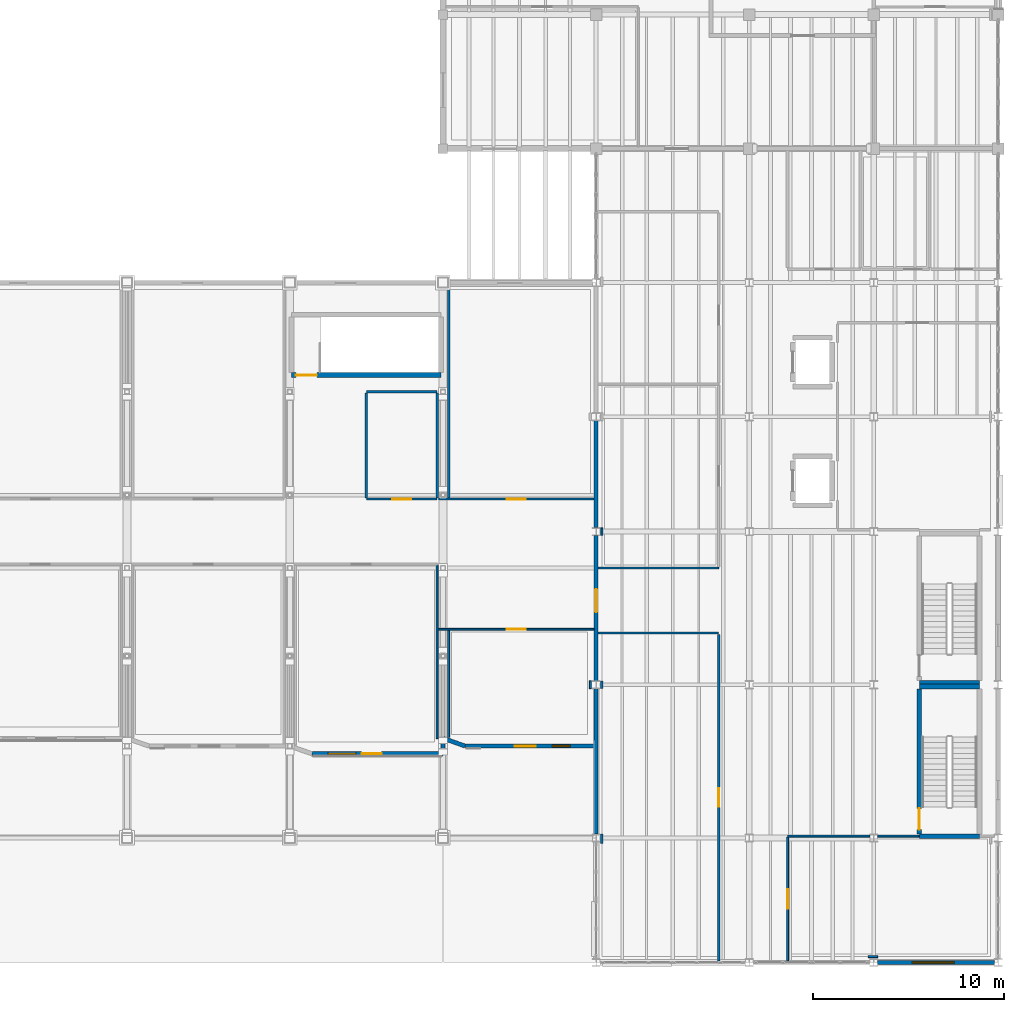
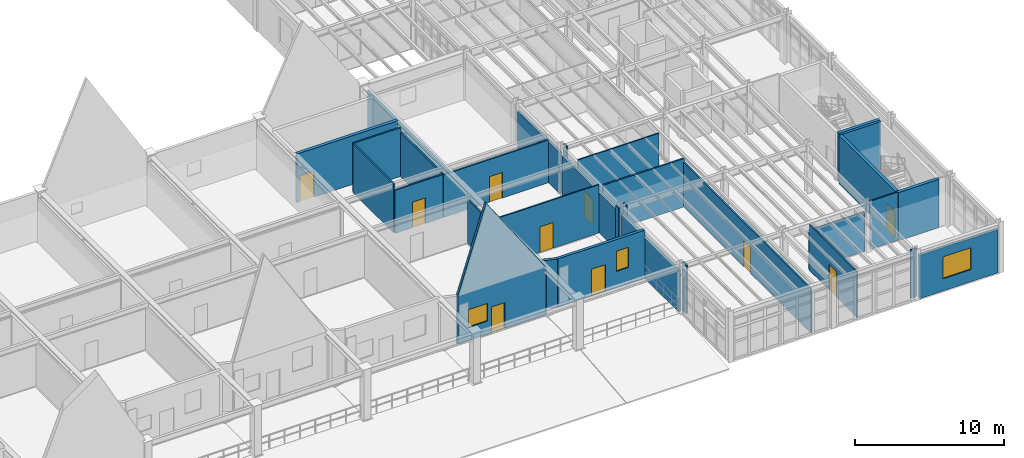
# One storey, part 66 of 78: 33 walls, 10 doors, 3 windows, 13 openings.
"""IFC4 building model written with IfcOpenShell, lengths in metres."""

from ifc_helpers import new_model, si_unit, direction, frame, frame_2d, origin, place, context, subcontext, project, spatial, polyline, rectangle, outline, extrude, material, layer, layer_set, type_object, element, fill, save


model = new_model("IFC4")

# Units and contexts
model_context = context("Model", 3, precision=1e-05, world=origin(), true_north=direction((0.0, 1.0)))
body_context = subcontext(model_context, "Body", "Model", "MODEL_VIEW")
ifc_project = project(units=[si_unit("LENGTHUNIT", "METRE"), si_unit("AREAUNIT", "SQUARE_METRE"), si_unit("VOLUMEUNIT", "CUBIC_METRE"), si_unit("PLANEANGLEUNIT", "RADIAN"), si_unit("MASSUNIT", "GRAM", prefix="KILO"), si_unit("THERMODYNAMICTEMPERATUREUNIT", "KELVIN"), si_unit("POWERUNIT", "WATT")], contexts=[model_context])

# Site, building, storey
site_placement = place(None, origin())
site = spatial("IfcSite", under=ifc_project, at=site_placement, CompositionType="ELEMENT")
building_placement = place(site_placement, origin())
building = spatial("IfcBuilding", under=site, at=building_placement, Name="Zhenchuan Central Fire Station", CompositionType="ELEMENT")
storey_placement = place(building_placement, frame((0.0, 0.0, 5.85009765625)))
storey = spatial("IfcBuildingStorey", under=building, at=storey_placement, Name="L02", CompositionType="ELEMENT", Elevation=5.85009765625)

# Wall, openings, door, window
ifc_material_1 = material(Name="Precast concrete C40/50", Category="concrete")
ifc_layer_1 = layer(ifc_material_1, 0.219970703125, Name="Precast concrete C40/50", Category="concrete")
ifc_layer_set_1 = layer_set([ifc_layer_1], Name="Precast concrete C40/50")
wall_type_1 = type_object("IfcWallType", Name="EW-PRC220", PredefinedType="SOLIDWALL", material=ifc_layer_set_1)
wall_1_placement = place(storey_placement, frame((125.14990234375, 10.89990234375, 0.0), z_axis=(0.0, 0.0, 1.0), x_axis=(1.0, 0.0, 0.0)))
wall_1 = element("IfcWall", 1, at=wall_1_placement, inside=storey, type_object=wall_type_1, Name="Pavilion H09 South Gable Wall", PredefinedType="SOLIDWALL", context=body_context, shape_type="SweptSolid", body=[
    extrude(outline(polyline([(0.0, 0.0), (6.85009765625, 0.0), (6.85009765625, 3.949951171875), (2.2099609375, 10.81982421875), (0.0, 3.949951171875), (0.0, 0.0)])), frame((0.0, 0.10986328125, 0.0), z_axis=(0.0, -1.0, 0.0), x_axis=(1.0, 0.0, 0.0)), (0.0, 0.0, 1.0), 0.219970703125),
])
opening_1_placement = place(wall_1_placement, frame((2.60009765625, 0.0, 0.0)))
opening_1 = element("IfcOpeningElement", 2, at=opening_1_placement, cuts=wall_1, Name="Opening TD-008", PredefinedType="OPENING", context=body_context, shape_type="SweptSolid", body=[
    extrude(rectangle(XDim=1.050048828125, YDim=2.14990234375, at=frame_2d((0.52490234375, 1.074951171875))), frame((0.0, 0.119873046875, 0.0), z_axis=(0.0, -1.0, 0.0), x_axis=(1.0, 0.0, 0.0)), (0.0, 0.0, 1.0), 0.239990234375),
])
opening_2_placement = place(wall_1_placement, frame((0.85009765625, 0.0, 1.10009765625)))
opening_2 = element("IfcOpeningElement", 3, at=opening_2_placement, cuts=wall_1, Name="Opening W-09", PredefinedType="OPENING", context=body_context, shape_type="SweptSolid", body=[
    extrude(rectangle(XDim=1.449951171875, YDim=1.449951171875, at=frame_2d((0.72509765625, 0.72509765625))), frame((0.0, 0.119873046875, 0.0), z_axis=(0.0, -1.0, 0.0), x_axis=(1.0, 0.0, 0.0)), (0.0, 0.0, 1.0), 0.239990234375),
])
ifc_material_2 = material(Name="Thermally broken aluminium terrace door", Category="aluminium")
door_type_1 = type_object("IfcDoorType", Name="ED-105x215", OperationType="NOTDEFINED", PredefinedType="DOOR", material=ifc_material_2)
door_1_placement = place(opening_1_placement, frame((1.050048828125, 0.0, 0.0), z_axis=(0.0, 0.0, 1.0), x_axis=(-1.0, 0.0, 0.0)))
door_1 = element("IfcDoor", 4, at=door_1_placement, inside=storey, type_object=door_type_1, Name="Pavilion H09 Terrace Door", OperationType="SINGLE_SWING_RIGHT", OverallHeight=2.14990234375, OverallWidth=1.050048828125, PredefinedType="DOOR", context=body_context, shape_type="SweptSolid", body=[
    extrude(rectangle(XDim=1.050048828125, YDim=2.14990234375, at=frame_2d((0.52490234375, 1.074951171875))), frame((0.0, 0.02490234375, 0.0), z_axis=(0.0, -1.0, 0.0), x_axis=(1.0, 0.0, 0.0)), (0.0, 0.0, 1.0), 0.050048828125),
])
fill(opening_1, door_1)
ifc_material_3 = material(Name="Laminated low-E double glazing in aluminium frame", Category="aluminium")
window_type_1 = type_object("IfcWindowType", Name="WN-09", PartitioningType="SINGLE_PANEL", PredefinedType="WINDOW", material=ifc_material_3)
window_1_placement = place(opening_2_placement, origin())
window_1 = element("IfcWindow", 5, at=window_1_placement, inside=storey, type_object=window_type_1, Name="Exterior Window 0030", OverallHeight=1.449951171875, OverallWidth=1.449951171875, PartitioningType="SINGLE_PANEL", PredefinedType="WINDOW", context=body_context, shape_type="SweptSolid", body=[
    extrude(rectangle(XDim=1.449951171875, YDim=1.449951171875, at=frame_2d((0.72509765625, 0.72509765625))), frame((0.0, 0.030029296875, 0.0), z_axis=(0.0, -1.0, 0.0), x_axis=(1.0, 0.0, 0.0)), (0.0, 0.0, 1.0), 0.06005859375),
])
fill(opening_2, window_1)

# Wall
wall_2_placement = place(storey_placement, frame((132.0, 10.909912109375, 0.0), z_axis=(0.0, 0.0, 1.0), x_axis=(0.0, 1.0, 0.0)))
element("IfcWall", 6, at=wall_2_placement, inside=storey, type_object=wall_type_1, Name="Pavilion H10 South Setback Return Wall", PredefinedType="SOLIDWALL", context=body_context, shape_type="SweptSolid", body=[
    extrude(rectangle(XDim=0.780029296875, YDim=0.219970703125, at=frame_2d((0.39013671875, 0.0))), origin(), (0.0, 0.0, 1.0), 3.58984375),
])

# Wall, openings, door, window
wall_3_placement = place(storey_placement, frame((133.14990234375, 11.300048828125, 0.0), z_axis=(0.0, 0.0, 1.0), x_axis=(1.0, 0.0, 0.0)))
wall_3 = element("IfcWall", 7, at=wall_3_placement, inside=storey, type_object=wall_type_1, Name="Pavilion H10 South Wall", PredefinedType="SOLIDWALL", context=body_context, shape_type="SweptSolid", body=[
    extrude(rectangle(XDim=6.75, YDim=0.219970703125, at=frame_2d((3.375, 0.0))), origin(), (0.0, 0.0, 1.0), 3.9599609375),
])
opening_3_placement = place(wall_3_placement, frame((2.60009765625, 0.0, 0.0)))
opening_3 = element("IfcOpeningElement", 8, at=opening_3_placement, cuts=wall_3, Name="Opening TD-009", PredefinedType="OPENING", context=body_context, shape_type="SweptSolid", body=[
    extrude(rectangle(XDim=1.10009765625, YDim=2.199951171875, at=frame_2d((0.550048828125, 1.10009765625))), frame((0.0, 0.119873046875, 0.0), z_axis=(0.0, -1.0, 0.0), x_axis=(1.0, 0.0, 0.0)), (0.0, 0.0, 1.0), 0.239990234375),
])
opening_4_placement = place(wall_3_placement, frame((4.550048828125, 0.0, 1.35009765625)))
opening_4 = element("IfcOpeningElement", 9, at=opening_4_placement, cuts=wall_3, Name="Opening W-53", PredefinedType="OPENING", context=body_context, shape_type="SweptSolid", body=[
    extrude(rectangle(XDim=0.949951171875, YDim=1.64990234375, at=frame_2d((0.47509765625, 0.824951171875))), frame((0.0, 0.119873046875, 0.0), z_axis=(0.0, -1.0, 0.0), x_axis=(1.0, 0.0, 0.0)), (0.0, 0.0, 1.0), 0.239990234375),
])
door_type_2 = type_object("IfcDoorType", Name="ED-110x220", OperationType="NOTDEFINED", PredefinedType="DOOR", material=ifc_material_2)
door_2_placement = place(opening_3_placement, frame((1.10009765625, 0.0, 0.0), z_axis=(0.0, 0.0, 1.0), x_axis=(-1.0, 0.0, 0.0)))
door_2 = element("IfcDoor", 10, at=door_2_placement, inside=storey, type_object=door_type_2, Name="Pavilion H10 Setback Terrace Door", OperationType="SINGLE_SWING_LEFT", OverallHeight=2.199951171875, OverallWidth=1.10009765625, PredefinedType="DOOR", context=body_context, shape_type="SweptSolid", body=[
    extrude(rectangle(XDim=1.10009765625, YDim=2.199951171875, at=frame_2d((0.550048828125, 1.10009765625))), frame((0.0, 0.02490234375, 0.0), z_axis=(0.0, -1.0, 0.0), x_axis=(1.0, 0.0, 0.0)), (0.0, 0.0, 1.0), 0.050048828125),
])
fill(opening_3, door_2)
window_type_2 = type_object("IfcWindowType", Name="WN-53", PartitioningType="SINGLE_PANEL", PredefinedType="WINDOW", material=ifc_material_3)
window_2_placement = place(opening_4_placement, origin())
window_2 = element("IfcWindow", 11, at=window_2_placement, inside=storey, type_object=window_type_2, Name="Exterior Window 0032", OverallHeight=1.64990234375, OverallWidth=0.949951171875, PartitioningType="SINGLE_PANEL", PredefinedType="WINDOW", context=body_context, shape_type="SweptSolid", body=[
    extrude(rectangle(XDim=0.949951171875, YDim=1.64990234375, at=frame_2d((0.47509765625, 0.824951171875))), frame((0.0, 0.030029296875, 0.0), z_axis=(0.0, -1.0, 0.0), x_axis=(1.0, 0.0, 0.0)), (0.0, 0.0, 1.0), 0.06005859375),
])
fill(opening_4, window_2)

# Wall
wall_4_placement = place(storey_placement, frame((132.030029296875, 11.699951171875, 0.0), z_axis=(0.0, 0.0, 1.0), x_axis=(0.941755845838, -0.336297378566, 0.0)))
element("IfcWall", 12, at=wall_4_placement, inside=storey, type_object=wall_type_1, Name="Pavilion H10 Chamfer Wall", PredefinedType="SOLIDWALL", context=body_context, shape_type="SweptSolid", body=[
    extrude(outline(polyline([(0.0, 0.0), (1.189208984375, 0.0), (1.189208984375, 3.949951171875), (0.0, 3.949951171875), (0.0, 0.0)])), frame((0.0, 0.10986328125, 0.0), z_axis=(0.0, -1.0, 0.0), x_axis=(1.0, 0.0, 0.0)), (0.0, 0.0, 1.0), 0.219970703125),
])

# Wall, opening, window
wall_5_placement = place(storey_placement, frame((154.699951171875, 0.0, 0.0), z_axis=(0.0, 0.0, 1.0), x_axis=(1.0, 0.0, 0.0)))
wall_5 = element("IfcWall", 13, at=wall_5_placement, inside=storey, type_object=wall_type_1, Name="EW-L02-V2S-2", PredefinedType="SOLIDWALL", context=body_context, shape_type="SweptSolid", body=[
    extrude(rectangle(XDim=6.10009765625, YDim=0.219970703125, at=frame_2d((3.050048828125, 0.0))), origin(), (0.0, 0.0, 1.0), 3.56396484375),
])
opening_5_placement = place(wall_5_placement, frame((1.800048828125, 0.0, 1.0)))
opening_5 = element("IfcOpeningElement", 14, at=opening_5_placement, cuts=wall_5, Name="Opening W-27", PredefinedType="OPENING", context=body_context, shape_type="SweptSolid", body=[
    extrude(rectangle(XDim=2.199951171875, YDim=1.800048828125, at=frame_2d((1.10009765625, 0.89990234375))), frame((0.0, 0.119873046875, 0.0), z_axis=(0.0, -1.0, 0.0), x_axis=(1.0, 0.0, 0.0)), (0.0, 0.0, 1.0), 0.239990234375),
])
window_type_3 = type_object("IfcWindowType", Name="WN-27", PartitioningType="SINGLE_PANEL", PredefinedType="WINDOW", material=ifc_material_3)
window_3_placement = place(opening_5_placement, origin())
window_3 = element("IfcWindow", 15, at=window_3_placement, inside=storey, type_object=window_type_3, Name="Exterior Window 0088", OverallHeight=1.800048828125, OverallWidth=2.199951171875, PartitioningType="SINGLE_PANEL", PredefinedType="WINDOW", context=body_context, shape_type="SweptSolid", body=[
    extrude(rectangle(XDim=2.199951171875, YDim=1.800048828125, at=frame_2d((1.10009765625, 0.89990234375))), frame((0.0, 0.030029296875, 0.0), z_axis=(0.0, -1.0, 0.0), x_axis=(1.0, 0.0, 0.0)), (0.0, 0.0, 1.0), 0.06005859375),
])
fill(opening_5, window_3)

# Wall
ifc_material_4 = material(Name="Autoclaved aerated concrete blockwork", Category="masonry")
ifc_layer_2 = layer(ifc_material_4, 0.199951171875, Name="Autoclaved aerated concrete blockwork", Category="masonry")
ifc_layer_set_2 = layer_set([ifc_layer_2], Name="Autoclaved aerated concrete blockwork")
wall_type_2 = type_object("IfcWallType", Name="IW-FIR200", PredefinedType="PARTITIONING", material=ifc_layer_set_2)
wall_6_placement = place(storey_placement, frame((140.0, 6.701904296875, 0.0), z_axis=(0.0, 0.0, 1.0), x_axis=(0.0, 1.0, 0.0)))
element("IfcWall", 16, at=wall_6_placement, inside=storey, type_object=wall_type_2, Name="L02 Hall-HQ Fire Compartment Wall Y=6.5..14.5", PredefinedType="PARTITIONING", context=body_context, shape_type="SweptSolid", body=[
    extrude(rectangle(XDim=7.59619140625, YDim=0.199951171875, at=frame_2d((3.798095703125, 0.0))), origin(), (0.0, 0.0, 1.0), 3.365966796875),
])

# Wall, opening, door
wall_7_placement = place(storey_placement, frame((140.0, 14.701904296875, 0.0), z_axis=(0.0, 0.0, 1.0), x_axis=(0.0, 1.0, 0.0)))
wall_7 = element("IfcWall", 17, at=wall_7_placement, inside=storey, type_object=wall_type_2, Name="L02 Hall-HQ Fire Compartment Wall Y=14.5..22.5", PredefinedType="PARTITIONING", context=body_context, shape_type="SweptSolid", body=[
    extrude(rectangle(XDim=7.59619140625, YDim=0.199951171875, at=frame_2d((3.798095703125, 0.0))), origin(), (0.0, 0.0, 1.0), 3.303955078125),
])
opening_6_placement = place(wall_7_placement, frame((3.597900390625, 0.0, 0.0)))
opening_6 = element("IfcOpeningElement", 18, at=opening_6_placement, cuts=wall_7, Name="Opening D-047", PredefinedType="OPENING", context=body_context, shape_type="SweptSolid", body=[
    extrude(rectangle(XDim=1.199951171875, YDim=2.14990234375, at=frame_2d((0.60009765625, 1.074951171875))), frame((0.0, 0.10986328125, 0.0), z_axis=(0.0, -1.0, 0.0), x_axis=(1.0, 0.0, 0.0)), (0.0, 0.0, 1.0), 0.219970703125),
])
ifc_material_5 = material(Name="Smoke-sealed steel fire lobby door", Category="steel")
door_type_3 = type_object("IfcDoorType", Name="ID-FFL-120x215", OperationType="NOTDEFINED", PredefinedType="DOOR", material=ifc_material_5)
door_3_placement = place(opening_6_placement, origin())
door_3 = element("IfcDoor", 19, at=door_3_placement, inside=storey, type_object=door_type_3, Name="V1-V2 Upper Spine Fire Door", OperationType="SINGLE_SWING_LEFT", OverallHeight=2.14990234375, OverallWidth=1.199951171875, PredefinedType="DOOR", context=body_context, shape_type="SweptSolid", body=[
    extrude(rectangle(XDim=1.199951171875, YDim=2.14990234375, at=frame_2d((0.60009765625, 1.074951171875))), frame((0.0, 0.02490234375, 0.0), z_axis=(0.0, -1.0, 0.0), x_axis=(1.0, 0.0, 0.0)), (0.0, 0.0, 1.0), 0.050048828125),
])
fill(opening_6, door_3)

# Walls
wall_8_placement = place(storey_placement, frame((140.0, 22.701904296875, 0.0), z_axis=(0.0, 0.0, 1.0), x_axis=(0.0, 1.0, 0.0)))
element("IfcWall", 20, at=wall_8_placement, inside=storey, type_object=wall_type_2, Name="L02 Hall-HQ Fire Compartment Wall Y=22.5..28.5", PredefinedType="PARTITIONING", context=body_context, shape_type="SweptSolid", body=[
    extrude(rectangle(XDim=5.59619140625, YDim=0.199951171875, at=frame_2d((2.798095703125, 0.0))), origin(), (0.0, 0.0, 1.0), 3.35400390625),
])
ifc_material_6 = material(Name="Gypsum plasterboard on steel studs", Category="gypsum")
ifc_layer_3 = layer(ifc_material_6, 0.10009765625, Name="Gypsum plasterboard on steel studs", Category="gypsum")
ifc_layer_set_3 = layer_set([ifc_layer_3], Name="Gypsum plasterboard on steel studs")
wall_type_3 = type_object("IfcWallType", Name="IW-GYP100", PredefinedType="PARTITIONING", material=ifc_layer_set_3)
wall_9_placement = place(storey_placement, frame((131.699951171875, 11.693115234375, 0.0), z_axis=(0.0, 0.0, 1.0), x_axis=(0.0, 1.0, 0.0)))
element("IfcWall", 21, at=wall_9_placement, inside=storey, type_object=wall_type_3, Name="Swiftwater Rescue Gear Room E Partition", PredefinedType="PARTITIONING", context=body_context, shape_type="SweptSolid", body=[
    extrude(rectangle(XDim=9.053955078125, YDim=0.10009765625, at=frame_2d((4.52685546875, 0.0))), origin(), (0.0, 0.0, 1.0), 3.593994140625),
])

# Wall, opening, door
wall_10_placement = place(storey_placement, frame((131.7529296875, 17.39990234375, 0.0), z_axis=(0.0, 0.0, 1.0), x_axis=(1.0, 0.0, 0.0)))
wall_10 = element("IfcWall", 22, at=wall_10_placement, inside=storey, type_object=wall_type_3, Name="Reserve Turnout Locker Room N Partition", PredefinedType="PARTITIONING", context=body_context, shape_type="SweptSolid", body=[
    extrude(rectangle(XDim=8.14404296875, YDim=0.10009765625, at=frame_2d((4.072021484375, 0.0))), origin(), (0.0, 0.0, 1.0), 3.9599609375),
])
opening_7_placement = place(wall_10_placement, frame((3.572021484375, 0.0, 0.0)))
opening_7 = element("IfcOpeningElement", 23, at=opening_7_placement, cuts=wall_10, Name="Opening D-118", PredefinedType="OPENING", context=body_context, shape_type="SweptSolid", body=[
    extrude(rectangle(XDim=1.0, YDim=2.10009765625, at=frame_2d((0.5, 1.050048828125))), frame((0.0, 0.06005859375, 0.0), z_axis=(0.0, -1.0, 0.0), x_axis=(1.0, 0.0, 0.0)), (0.0, 0.0, 1.0), 0.1201171875),
])
ifc_material_7 = material(Name="Solid-core timber office door", Category="wood")
door_type_4 = type_object("IfcDoorType", Name="ID-OFF-100x210", OperationType="NOTDEFINED", PredefinedType="DOOR", material=ifc_material_7)
door_4_placement = place(opening_7_placement, origin())
door_4 = element("IfcDoor", 24, at=door_4_placement, inside=storey, type_object=door_type_4, Name="Reserve Turnout Locker Room Door", OperationType="SINGLE_SWING_RIGHT", OverallHeight=2.10009765625, OverallWidth=1.0, PredefinedType="DOOR", context=body_context, shape_type="SweptSolid", body=[
    extrude(rectangle(XDim=1.0, YDim=2.10009765625, at=frame_2d((0.5, 1.050048828125))), frame((0.0, 0.02490234375, 0.0), z_axis=(0.0, -1.0, 0.0), x_axis=(1.0, 0.0, 0.0)), (0.0, 0.0, 1.0), 0.050048828125),
])
fill(opening_7, door_4)

# Walls
wall_11_placement = place(storey_placement, frame((132.300048828125, 11.75, 0.0), z_axis=(0.0, 0.0, 1.0), x_axis=(0.0, 1.0, 0.0)))
element("IfcWall", 25, at=wall_11_placement, inside=storey, type_object=wall_type_3, Name="Reserve Turnout Locker Room W Partition", PredefinedType="PARTITIONING", context=body_context, shape_type="SweptSolid", body=[
    extrude(rectangle(XDim=5.596923828125, YDim=0.10009765625, at=frame_2d((2.79833984375, 0.0))), origin(), (0.0, 0.0, 1.0), 3.593994140625),
])
wall_12_placement = place(storey_placement, frame((139.699951171875, 14.301025390625, 0.0), z_axis=(0.0, 0.0, 1.0), x_axis=(0.0, 1.0, 0.0)))
element("IfcWall", 26, at=wall_12_placement, inside=storey, type_object=wall_type_3, Name="Reserve Turnout Locker Room E Partition", PredefinedType="PARTITIONING", context=body_context, shape_type="SweptSolid", body=[
    extrude(rectangle(XDim=0.39794921875, YDim=0.10009765625, at=frame_2d((0.198974609375, 0.0))), origin(), (0.0, 0.0, 1.0), 3.9599609375),
])
wall_13_placement = place(storey_placement, frame((140.10302734375, 20.60009765625, 0.0), z_axis=(0.0, 0.0, 1.0), x_axis=(1.0, 0.0, 0.0)))
element("IfcWall", 27, at=wall_13_placement, inside=storey, type_object=wall_type_3, Name="Operations Planning Office S Partition", PredefinedType="PARTITIONING", context=body_context, shape_type="SweptSolid", body=[
    extrude(rectangle(XDim=6.296875, YDim=0.10009765625, at=frame_2d((3.1484375, 0.0))), origin(), (0.0, 0.0, 1.0), 3.9599609375),
])
wall_14_placement = place(storey_placement, frame((140.300048828125, 22.301025390625, 0.0), z_axis=(0.0, 0.0, 1.0), x_axis=(0.0, 1.0, 0.0)))
element("IfcWall", 28, at=wall_14_placement, inside=storey, type_object=wall_type_3, Name="Operations Planning Office W Partition 1", PredefinedType="PARTITIONING", context=body_context, shape_type="SweptSolid", body=[
    extrude(rectangle(XDim=0.39794921875, YDim=0.10009765625, at=frame_2d((0.198974609375, 0.0))), origin(), (0.0, 0.0, 1.0), 3.9599609375),
])
wall_15_placement = place(storey_placement, frame((154.202880859375, 0.300048828125, 0.0), z_axis=(0.0, 0.0, 1.0), x_axis=(1.0, 0.0, 0.0)))
element("IfcWall", 29, at=wall_15_placement, inside=storey, type_object=wall_type_3, Name="Personnel and Finance Office S Partition", PredefinedType="PARTITIONING", context=body_context, shape_type="SweptSolid", body=[
    extrude(rectangle(XDim=0.494140625, YDim=0.10009765625, at=frame_2d((0.2470703125, 0.0))), origin(), (0.0, 0.0, 1.0), 3.9599609375),
])
wall_16_placement = place(storey_placement, frame((150.0, 6.60009765625, 0.0), z_axis=(0.0, 0.0, 1.0), x_axis=(1.0, 0.0, 0.0)))
element("IfcWall", 30, at=wall_16_placement, inside=storey, type_object=wall_type_3, Name="Personnel and Finance Office N Partition 1", PredefinedType="PARTITIONING", context=body_context, shape_type="SweptSolid", body=[
    extrude(rectangle(XDim=4.297119140625, YDim=0.10009765625, at=frame_2d((2.1484375, 0.0))), origin(), (0.0, 0.0, 1.0), 3.25390625),
])
wall_17_placement = place(storey_placement, frame((154.702880859375, 6.60009765625, 0.0), z_axis=(0.0, 0.0, 1.0), x_axis=(1.0, 0.0, 0.0)))
element("IfcWall", 31, at=wall_17_placement, inside=storey, type_object=wall_type_3, Name="Personnel and Finance Office N Partition 2", PredefinedType="PARTITIONING", context=body_context, shape_type="SweptSolid", body=[
    extrude(rectangle(XDim=2.169189453125, YDim=0.10009765625, at=frame_2d((1.08447265625, 0.0))), origin(), (0.0, 0.0, 1.0), 3.9599609375),
])

# Wall, opening, door
wall_18_placement = place(storey_placement, frame((150.0, 0.0830078125, 0.0), z_axis=(0.0, 0.0, 1.0), x_axis=(0.0, 1.0, 0.0)))
wall_18 = element("IfcWall", 32, at=wall_18_placement, inside=storey, type_object=wall_type_3, Name="Personnel and Finance Office W Partition", PredefinedType="PARTITIONING", context=body_context, shape_type="SweptSolid", body=[
    extrude(rectangle(XDim=6.464111328125, YDim=0.10009765625, at=frame_2d((3.23193359375, 0.0))), origin(), (0.0, 0.0, 1.0), 3.75390625),
])
opening_8_placement = place(wall_18_placement, frame((2.73193359375, 0.0, 0.0)))
opening_8 = element("IfcOpeningElement", 33, at=opening_8_placement, cuts=wall_18, Name="Opening D-144", PredefinedType="OPENING", context=body_context, shape_type="SweptSolid", body=[
    extrude(rectangle(XDim=1.0, YDim=2.10009765625, at=frame_2d((0.5, 1.050048828125))), frame((0.0, 0.06005859375, 0.0), z_axis=(0.0, -1.0, 0.0), x_axis=(1.0, 0.0, 0.0)), (0.0, 0.0, 1.0), 0.1201171875),
])
door_5_placement = place(opening_8_placement, origin())
door_5 = element("IfcDoor", 34, at=door_5_placement, inside=storey, type_object=door_type_4, Name="Personnel and Finance Office Door", OperationType="SINGLE_SWING_RIGHT", OverallHeight=2.10009765625, OverallWidth=1.0, PredefinedType="DOOR", context=body_context, shape_type="SweptSolid", body=[
    extrude(rectangle(XDim=1.0, YDim=2.10009765625, at=frame_2d((0.5, 1.050048828125))), frame((0.0, 0.02490234375, 0.0), z_axis=(0.0, -1.0, 0.0), x_axis=(1.0, 0.0, 0.0)), (0.0, 0.0, 1.0), 0.050048828125),
])
fill(opening_8, door_5)

ifc_layer_4 = layer(ifc_material_6, 0.1201171875, Name="Gypsum plasterboard on steel studs", Category="gypsum")
ifc_layer_set_4 = layer_set([ifc_layer_4], Name="Gypsum plasterboard on steel studs")
wall_type_4 = type_object("IfcWallType", Name="IW-GYP120", PredefinedType="PARTITIONING", material=ifc_layer_set_4)
wall_19_placement = place(storey_placement, frame((128.0, 24.199951171875, 0.0), z_axis=(0.0, 0.0, 1.0), x_axis=(1.0, 0.0, 0.0)))
wall_19 = element("IfcWall", 35, at=wall_19_placement, inside=storey, type_object=wall_type_4, Name="Drysuit Drying Room S Partition", PredefinedType="PARTITIONING", context=body_context, shape_type="SweptSolid", body=[
    extrude(rectangle(XDim=3.699951171875, YDim=0.1201171875, at=frame_2d((1.85009765625, 0.0))), origin(), (0.0, 0.0, 1.0), 3.5439453125),
])
opening_9_placement = place(wall_19_placement, frame((1.360107421875, 0.0, 0.0)))
opening_9 = element("IfcOpeningElement", 36, at=opening_9_placement, cuts=wall_19, Name="Opening D-117", PredefinedType="OPENING", context=body_context, shape_type="SweptSolid", body=[
    extrude(rectangle(XDim=0.97998046875, YDim=2.10009765625, at=frame_2d((0.489990234375, 1.050048828125))), frame((0.0, 0.070068359375, 0.0), z_axis=(0.0, -1.0, 0.0), x_axis=(1.0, 0.0, 0.0)), (0.0, 0.0, 1.0), 0.14013671875),
])
ifc_material_8 = material(Name="Solid-core timber study door", Category="wood")
door_type_5 = type_object("IfcDoorType", Name="ID-OFF-098x210", OperationType="NOTDEFINED", PredefinedType="DOOR", material=ifc_material_8)
door_6_placement = place(opening_9_placement, origin())
door_6 = element("IfcDoor", 37, at=door_6_placement, inside=storey, type_object=door_type_5, Name="Drysuit Drying Room Door", OperationType="SINGLE_SWING_LEFT", OverallHeight=2.10009765625, OverallWidth=0.97998046875, PredefinedType="DOOR", context=body_context, shape_type="SweptSolid", body=[
    extrude(rectangle(XDim=0.97998046875, YDim=2.10009765625, at=frame_2d((0.489990234375, 1.050048828125))), frame((0.0, 0.02490234375, 0.0), z_axis=(0.0, -1.0, 0.0), x_axis=(1.0, 0.0, 0.0)), (0.0, 0.0, 1.0), 0.050048828125),
])
fill(opening_9, door_6)

# Walls
wall_20_placement = place(storey_placement, frame((128.0, 29.800048828125, 0.0), z_axis=(0.0, 0.0, 1.0), x_axis=(1.0, 0.0, 0.0)))
element("IfcWall", 38, at=wall_20_placement, inside=storey, type_object=wall_type_4, Name="Drysuit Drying Room N Partition", PredefinedType="PARTITIONING", context=body_context, shape_type="SweptSolid", body=[
    extrude(rectangle(XDim=3.699951171875, YDim=0.1201171875, at=frame_2d((1.85009765625, 0.0))), origin(), (0.0, 0.0, 1.0), 4.0),
])
wall_21_placement = place(storey_placement, frame((128.0, 24.262939453125, 0.0), z_axis=(0.0, 0.0, 1.0), x_axis=(0.0, 1.0, 0.0)))
element("IfcWall", 39, at=wall_21_placement, inside=storey, type_object=wall_type_4, Name="Drysuit Drying Room W Partition", PredefinedType="PARTITIONING", context=body_context, shape_type="SweptSolid", body=[
    extrude(rectangle(XDim=5.47412109375, YDim=0.1201171875, at=frame_2d((2.737060546875, 0.0))), origin(), (0.0, 0.0, 1.0), 4.0),
])
wall_22_placement = place(storey_placement, frame((131.699951171875, 24.262939453125, 0.0), z_axis=(0.0, 0.0, 1.0), x_axis=(0.0, 1.0, 0.0)))
element("IfcWall", 40, at=wall_22_placement, inside=storey, type_object=wall_type_4, Name="Drysuit Drying Room E Partition", PredefinedType="PARTITIONING", context=body_context, shape_type="SweptSolid", body=[
    extrude(rectangle(XDim=5.47412109375, YDim=0.1201171875, at=frame_2d((2.737060546875, 0.0))), origin(), (0.0, 0.0, 1.0), 3.593994140625),
])

# Wall, opening, door
wall_23_placement = place(storey_placement, frame((131.762939453125, 24.199951171875, 0.0), z_axis=(0.0, 0.0, 1.0), x_axis=(1.0, 0.0, 0.0)))
wall_23 = element("IfcWall", 41, at=wall_23_placement, inside=storey, type_object=wall_type_4, Name="Duty Platoon Office S Partition", PredefinedType="PARTITIONING", context=body_context, shape_type="SweptSolid", body=[
    extrude(rectangle(XDim=8.134033203125, YDim=0.1201171875, at=frame_2d((4.06689453125, 0.0))), origin(), (0.0, 0.0, 1.0), 3.501953125),
])
opening_10_placement = place(wall_23_placement, frame((3.576904296875, 0.0, 0.0)))
opening_10 = element("IfcOpeningElement", 42, at=opening_10_placement, cuts=wall_23, Name="Opening D-119", PredefinedType="OPENING", context=body_context, shape_type="SweptSolid", body=[
    extrude(rectangle(XDim=0.97998046875, YDim=2.10009765625, at=frame_2d((0.489990234375, 1.050048828125))), frame((0.0, 0.070068359375, 0.0), z_axis=(0.0, -1.0, 0.0), x_axis=(1.0, 0.0, 0.0)), (0.0, 0.0, 1.0), 0.14013671875),
])
door_7_placement = place(opening_10_placement, origin())
door_7 = element("IfcDoor", 43, at=door_7_placement, inside=storey, type_object=door_type_5, Name="Duty Platoon Office Door", OperationType="SINGLE_SWING_LEFT", OverallHeight=2.10009765625, OverallWidth=0.97998046875, PredefinedType="DOOR", context=body_context, shape_type="SweptSolid", body=[
    extrude(rectangle(XDim=0.97998046875, YDim=2.10009765625, at=frame_2d((0.489990234375, 1.050048828125))), frame((0.0, 0.02490234375, 0.0), z_axis=(0.0, -1.0, 0.0), x_axis=(1.0, 0.0, 0.0)), (0.0, 0.0, 1.0), 0.050048828125),
])
fill(opening_10, door_7)

# Walls
wall_24_placement = place(storey_placement, frame((132.300048828125, 24.262939453125, 0.0), z_axis=(0.0, 0.0, 1.0), x_axis=(0.0, 1.0, 0.0)))
element("IfcWall", 44, at=wall_24_placement, inside=storey, type_object=wall_type_4, Name="Duty Platoon Office W Partition", PredefinedType="PARTITIONING", context=body_context, shape_type="SweptSolid", body=[
    extrude(rectangle(XDim=10.958984375, YDim=0.1201171875, at=frame_2d((5.4794921875, 0.0))), origin(), (0.0, 0.0, 1.0), 3.593994140625),
])
wall_25_placement = place(storey_placement, frame((140.10302734375, 17.199951171875, 0.0), z_axis=(0.0, 0.0, 1.0), x_axis=(1.0, 0.0, 0.0)))
element("IfcWall", 45, at=wall_25_placement, inside=storey, type_object=wall_type_4, Name="Fire Prevention Inspection Office N Partition", PredefinedType="PARTITIONING", context=body_context, shape_type="SweptSolid", body=[
    extrude(rectangle(XDim=6.296875, YDim=0.1201171875, at=frame_2d((3.1484375, 0.0))), origin(), (0.0, 0.0, 1.0), 3.9599609375),
])
wall_26_placement = place(storey_placement, frame((140.300048828125, 6.202880859375, 0.0), z_axis=(0.0, 0.0, 1.0), x_axis=(0.0, 1.0, 0.0)))
element("IfcWall", 46, at=wall_26_placement, inside=storey, type_object=wall_type_4, Name="Fire Prevention Inspection Office W Partition 1", PredefinedType="PARTITIONING", context=body_context, shape_type="SweptSolid", body=[
    extrude(rectangle(XDim=0.49609375, YDim=0.1201171875, at=frame_2d((0.248046875, 0.0))), origin(), (0.0, 0.0, 1.0), 3.9599609375),
])
wall_27_placement = place(storey_placement, frame((140.300048828125, 14.301025390625, 0.0), z_axis=(0.0, 0.0, 1.0), x_axis=(0.0, 1.0, 0.0)))
element("IfcWall", 47, at=wall_27_placement, inside=storey, type_object=wall_type_4, Name="Fire Prevention Inspection Office W Partition 2", PredefinedType="PARTITIONING", context=body_context, shape_type="SweptSolid", body=[
    extrude(rectangle(XDim=0.39794921875, YDim=0.1201171875, at=frame_2d((0.198974609375, 0.0))), origin(), (0.0, 0.0, 1.0), 3.9599609375),
])

# Wall, opening, door
wall_28_placement = place(storey_placement, frame((146.39990234375, 0.0830078125, 0.0), z_axis=(0.0, 0.0, 1.0), x_axis=(0.0, 1.0, 0.0)))
wall_28 = element("IfcWall", 48, at=wall_28_placement, inside=storey, type_object=wall_type_4, Name="Fire Prevention Inspection Office E Partition", PredefinedType="PARTITIONING", context=body_context, shape_type="SweptSolid", body=[
    extrude(rectangle(XDim=17.053955078125, YDim=0.1201171875, at=frame_2d((8.52685546875, 0.0))), origin(), (0.0, 0.0, 1.0), 3.65380859375),
])
opening_11_placement = place(wall_28_placement, frame((8.037109375, 0.0, 0.0)))
opening_11 = element("IfcOpeningElement", 49, at=opening_11_placement, cuts=wall_28, Name="Opening D-141", PredefinedType="OPENING", context=body_context, shape_type="SweptSolid", body=[
    extrude(rectangle(XDim=0.97998046875, YDim=2.10009765625, at=frame_2d((0.489990234375, 1.050048828125))), frame((0.0, 0.070068359375, 0.0), z_axis=(0.0, -1.0, 0.0), x_axis=(1.0, 0.0, 0.0)), (0.0, 0.0, 1.0), 0.14013671875),
])
door_8_placement = place(opening_11_placement, origin())
door_8 = element("IfcDoor", 50, at=door_8_placement, inside=storey, type_object=door_type_5, Name="Fire Prevention Inspection Office Door", OperationType="SINGLE_SWING_LEFT", OverallHeight=2.10009765625, OverallWidth=0.97998046875, PredefinedType="DOOR", context=body_context, shape_type="SweptSolid", body=[
    extrude(rectangle(XDim=0.97998046875, YDim=2.10009765625, at=frame_2d((0.489990234375, 1.050048828125))), frame((0.0, 0.02490234375, 0.0), z_axis=(0.0, -1.0, 0.0), x_axis=(1.0, 0.0, 0.0)), (0.0, 0.0, 1.0), 0.050048828125),
])
fill(opening_11, door_8)

ifc_material_9 = material(Name="Concrete C40/50", Category="concrete")
ifc_layer_5 = layer(ifc_material_9, 0.25, Name="Concrete C40/50", Category="concrete")
ifc_layer_set_5 = layer_set([ifc_layer_5], Name="Concrete C40/50")
wall_type_5 = type_object("IfcWallType", Name="IW-SHR250", PredefinedType="SHEAR", material=ifc_layer_set_5)
wall_29_placement = place(storey_placement, frame((124.094970703125, 30.675048828125, 0.0), z_axis=(0.0, 0.0, 1.0), x_axis=(1.0, 0.0, 0.0)))
wall_29 = element("IfcWall", 51, at=wall_29_placement, inside=storey, type_object=wall_type_5, Name="ST-09 L02 South Core Wall", PredefinedType="SHEAR", context=body_context, shape_type="SweptSolid", body=[
    extrude(rectangle(XDim=7.81005859375, YDim=0.25, at=frame_2d((3.905029296875, 0.0))), origin(), (0.0, 0.0, 1.0), 4.0),
])
opening_12_placement = place(wall_29_placement, frame((0.219970703125, 0.0, 0.0)))
opening_12 = element("IfcOpeningElement", 52, at=opening_12_placement, cuts=wall_29, Name="Opening D-021", PredefinedType="OPENING", context=body_context, shape_type="SweptSolid", body=[
    extrude(rectangle(XDim=1.10009765625, YDim=2.14990234375, at=frame_2d((0.550048828125, 1.074951171875))), frame((0.0, 0.135009765625, 0.0), z_axis=(0.0, -1.0, 0.0), x_axis=(1.0, 0.0, 0.0)), (0.0, 0.0, 1.0), 0.27001953125),
])
ifc_material_10 = material(Name="Painted steel acoustic fire door", Category="steel")
door_type_6 = type_object("IfcDoorType", Name="ID-ST-110x215", OperationType="NOTDEFINED", PredefinedType="DOOR", material=ifc_material_10)
door_9_placement = place(opening_12_placement, frame((1.10009765625, 0.0, 0.0), z_axis=(0.0, 0.0, 1.0), x_axis=(-1.0, 0.0, 0.0)))
door_9 = element("IfcDoor", 53, at=door_9_placement, inside=storey, type_object=door_type_6, Name="ST-09 L02 Fire Door", OperationType="SINGLE_SWING_LEFT", OverallHeight=2.14990234375, OverallWidth=1.10009765625, PredefinedType="DOOR", context=body_context, shape_type="SweptSolid", body=[
    extrude(rectangle(XDim=1.10009765625, YDim=2.14990234375, at=frame_2d((0.550048828125, 1.074951171875))), frame((0.0, 0.02490234375, 0.0), z_axis=(0.0, -1.0, 0.0), x_axis=(1.0, 0.0, 0.0)), (0.0, 0.0, 1.0), 0.050048828125),
])
fill(opening_12, door_9)

# Walls
for number, where, z_axis, x_axis, name in (
    (54, (156.875, 6.594970703125, 0.0), (0.0, 0.0, 1.0), (1.0, 0.0, 0.0), "ST-10 L02 South Core Wall"),
    (55, (156.875, 14.405029296875, 0.0), (0.0, 0.0, 1.0), (1.0, 0.0, 0.0), "ST-10 L02 North Core Wall"),
):
    element("IfcWall", number, at=place(storey_placement, frame(where, z_axis=z_axis, x_axis=x_axis)), inside=storey, type_object=wall_type_5, Name=name, PredefinedType="SHEAR", context=body_context, shape_type="SweptSolid", body=[
        extrude(rectangle(XDim=3.14990234375, YDim=0.25, at=frame_2d((1.574951171875, 0.0))), origin(), (0.0, 0.0, 1.0), 3.9599609375),
    ])

# Wall, opening, door
wall_30_placement = place(storey_placement, frame((156.875, 6.719970703125, 0.0), z_axis=(0.0, 0.0, 1.0), x_axis=(0.0, 1.0, 0.0)))
wall_30 = element("IfcWall", 56, at=wall_30_placement, inside=storey, type_object=wall_type_5, Name="ST-10 L02 West Core Wall", PredefinedType="SHEAR", context=body_context, shape_type="SweptSolid", body=[
    extrude(rectangle(XDim=7.56005859375, YDim=0.25, at=frame_2d((3.780029296875, 0.0))), origin(), (0.0, 0.0, 1.0), 3.9599609375),
])
opening_13_placement = place(wall_30_placement, frame((0.219970703125, 0.0, 0.0)))
opening_13 = element("IfcOpeningElement", 57, at=opening_13_placement, cuts=wall_30, Name="Opening D-023", PredefinedType="OPENING", context=body_context, shape_type="SweptSolid", body=[
    extrude(rectangle(XDim=1.10009765625, YDim=2.14990234375, at=frame_2d((0.550048828125, 1.074951171875))), frame((0.0, 0.135009765625, 0.0), z_axis=(0.0, -1.0, 0.0), x_axis=(1.0, 0.0, 0.0)), (0.0, 0.0, 1.0), 0.27001953125),
])
door_10_placement = place(opening_13_placement, origin())
door_10 = element("IfcDoor", 58, at=door_10_placement, inside=storey, type_object=door_type_6, Name="ST-10 L02 Fire Door", OperationType="SINGLE_SWING_LEFT", OverallHeight=2.14990234375, OverallWidth=1.10009765625, PredefinedType="DOOR", context=body_context, shape_type="SweptSolid", body=[
    extrude(rectangle(XDim=1.10009765625, YDim=2.14990234375, at=frame_2d((0.550048828125, 1.074951171875))), frame((0.0, 0.02490234375, 0.0), z_axis=(0.0, -1.0, 0.0), x_axis=(1.0, 0.0, 0.0)), (0.0, 0.0, 1.0), 0.050048828125),
])
fill(opening_13, door_10)

# Wall
wall_31_placement = place(storey_placement, frame((156.875, 14.594970703125, 0.0), z_axis=(0.0, 0.0, 1.0), x_axis=(1.0, 0.0, 0.0)))
element("IfcWall", 59, at=wall_31_placement, inside=storey, type_object=wall_type_5, Name="ST-11 L02 South Core Wall", PredefinedType="SHEAR", context=body_context, shape_type="SweptSolid", body=[
    extrude(rectangle(XDim=3.14990234375, YDim=0.25, at=frame_2d((1.574951171875, 0.0))), origin(), (0.0, 0.0, 1.0), 3.9599609375),
])

save(model, "model.ifc")
